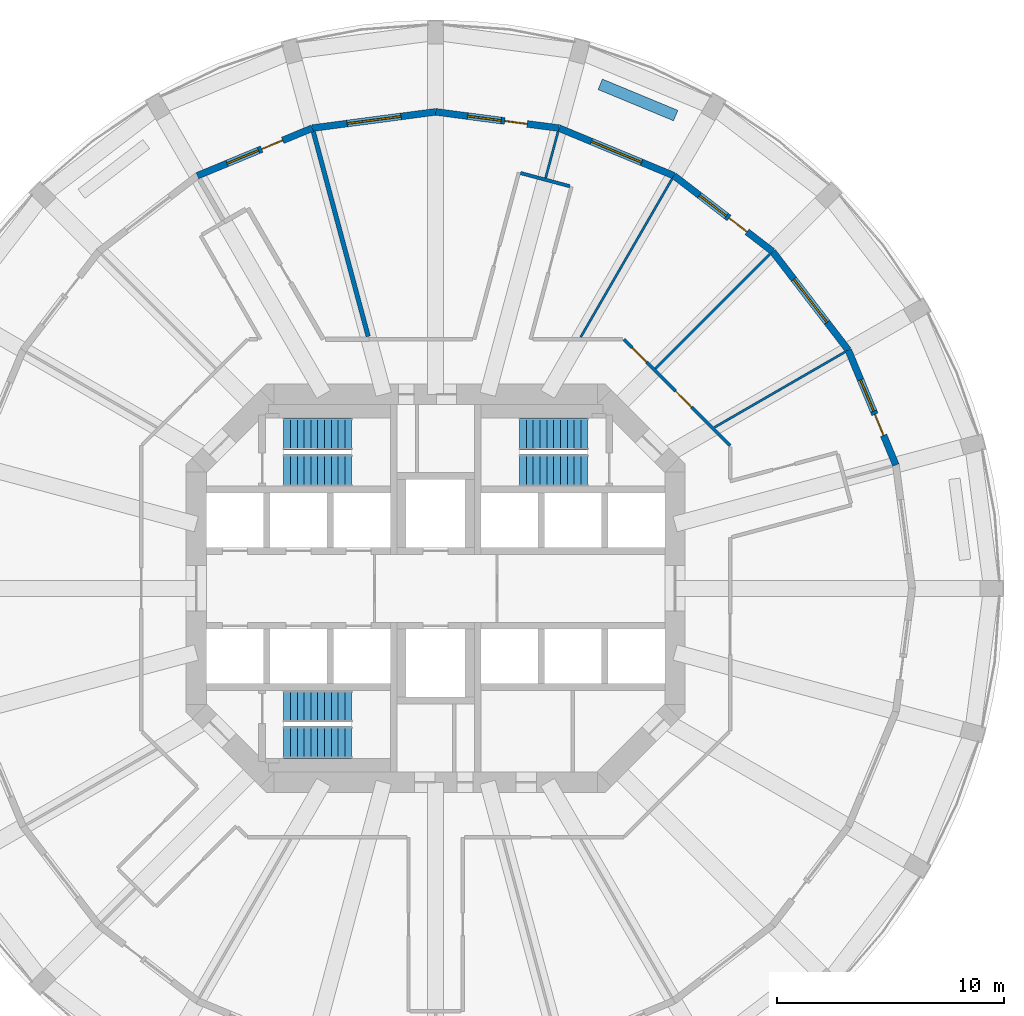
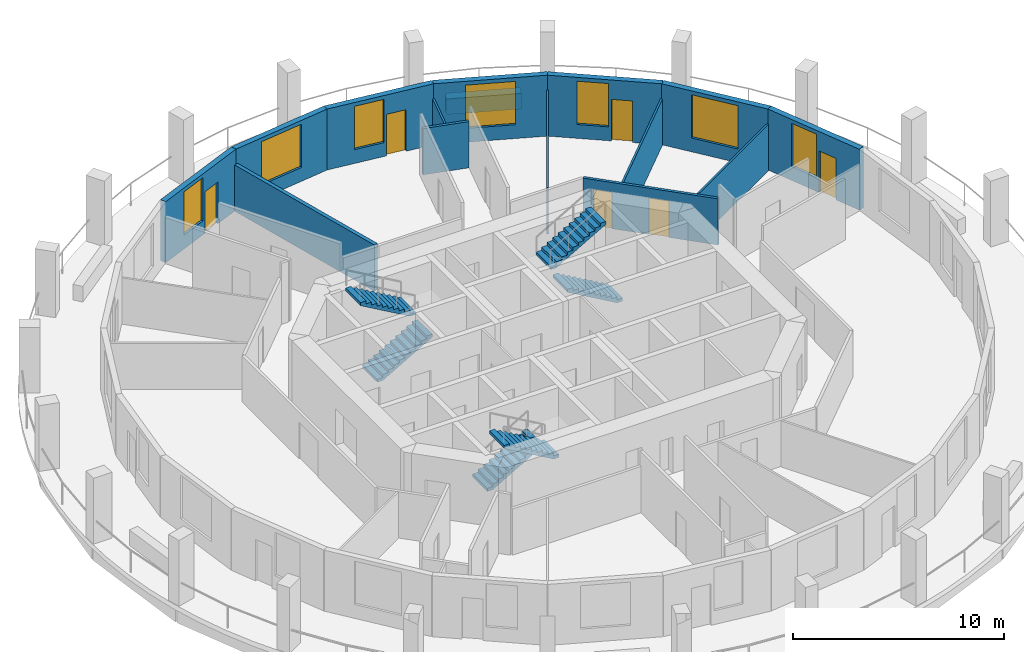
# One storey, part 6 of 8: 15 walls, 7 windows, 6 doors, 6 stair flights, 13 openings, 3 elements without a shape of their own.
"""IFC4 building model written with IfcOpenShell, lengths in metres."""

from ifc_helpers import new_model, si_unit, direction, frame, frame_2d, origin, place, context, subcontext, project, spatial, polyline, rectangle, outline, extrude, material, layer, layer_set, type_object, element, fill, aggregate, save


model = new_model("IFC4")

# Units and contexts
model_context = context("Model", 3, precision=1e-05, world=origin(), true_north=direction((0.0, 1.0)))
body_context = subcontext(model_context, "Body", "Model", "MODEL_VIEW")
ifc_project = project(units=[si_unit("LENGTHUNIT", "METRE"), si_unit("AREAUNIT", "SQUARE_METRE"), si_unit("VOLUMEUNIT", "CUBIC_METRE"), si_unit("PLANEANGLEUNIT", "RADIAN"), si_unit("MASSUNIT", "GRAM", prefix="KILO")], contexts=[model_context])

# Site, building, storey
site_placement = place(None, origin())
site = spatial("IfcSite", under=ifc_project, at=site_placement, CompositionType="ELEMENT")
building_placement = place(site_placement, origin())
building = spatial("IfcBuilding", under=site, at=building_placement, Name="Torre Triforio", CompositionType="ELEMENT")
storey_placement = place(building_placement, frame((0.0, 0.0, 135.199951171875)))
storey = spatial("IfcBuildingStorey", under=building, at=storey_placement, Name="L30", CompositionType="ELEMENT", Elevation=135.199951171875)

# Wall
ifc_material_1 = material(Name="Plasterboard on metal studs")
ifc_layer_1 = layer(ifc_material_1, 0.14990234375)
ifc_layer_set_1 = layer_set([ifc_layer_1], Name="Plasterboard on metal studs")
wall_type_1 = type_object("IfcWallType", Name="Corridor and tenancy wall 150 mm EI 60", PredefinedType="PARTITIONING", material=ifc_layer_set_1)
wall_1_placement = place(storey_placement, frame((3.739990234375, 18.304443359375, 0.0), z_axis=(0.0, 0.0, 1.0), x_axis=(0.965933522054, -0.25879032241, 0.0)))
element("IfcWall", 1, at=wall_1_placement, inside=storey, type_object=wall_type_1, Name="Partition 14", PredefinedType="PARTITIONING", context=body_context, shape_type="SweptSolid", body=[
    extrude(rectangle(XDim=2.25, YDim=0.14990234375, at=frame_2d((1.125, 0.0))), origin(), (0.0, 0.0, 1.0), 2.670166015625),
])

# Wall, openings, doors
wall_2_placement = place(storey_placement, frame((8.291015625, 10.97509765625, 0.0), z_axis=(0.0, 0.0, 1.0), x_axis=(0.707106781187, -0.707106781187, 0.0)))
wall_2 = element("IfcWall", 2, at=wall_2_placement, inside=storey, type_object=wall_type_1, Name="Partition 17", PredefinedType="PARTITIONING", context=body_context, shape_type="SweptSolid", body=[
    extrude(rectangle(XDim=6.624267578125, YDim=0.14990234375, at=frame_2d((3.31201171875, 0.0))), origin(), (0.0, 0.0, 1.0), 2.670166015625),
])
opening_1_placement = place(wall_2_placement, frame((3.22412109375, 0.0, 0.0)))
opening_1 = element("IfcOpeningElement", 3, at=opening_1_placement, cuts=wall_2, Name="Opening D2-09", PredefinedType="OPENING", context=body_context, shape_type="SweptSolid", body=[
    extrude(rectangle(XDim=1.0, YDim=2.10009765625, at=frame_2d((0.5, 1.050048828125))), frame((0.0, 0.0849609375, 0.0), z_axis=(0.0, -1.0, 0.0), x_axis=(1.0, 0.0, 0.0)), (0.0, 0.0, 1.0), 0.169921875),
])
opening_2_placement = place(wall_2_placement, frame((0.52392578125, 0.0, 0.0)))
opening_2 = element("IfcOpeningElement", 4, at=opening_2_placement, cuts=wall_2, Name="Opening D2-10", PredefinedType="OPENING", context=body_context, shape_type="SweptSolid", body=[
    extrude(rectangle(XDim=0.89990234375, YDim=2.10009765625, at=frame_2d((0.449951171875, 1.050048828125))), frame((0.0, 0.0849609375, 0.0), z_axis=(0.0, -1.0, 0.0), x_axis=(1.0, 0.0, 0.0)), (0.0, 0.0, 1.0), 0.169921875),
])
ifc_material_2 = material(Name="Timber", Category="wood")
door_type_1 = type_object("IfcDoorType", Name="Door 1000 x 2100 single leaf EI 30", OperationType="NOTDEFINED", PredefinedType="DOOR", material=ifc_material_2)
door_1_placement = place(opening_1_placement, origin())
door_1 = element("IfcDoor", 5, at=door_1_placement, inside=storey, type_object=door_type_1, Name="Door D2-09", OperationType="SINGLE_SWING_LEFT", OverallHeight=2.10009765625, OverallWidth=1.0, PredefinedType="DOOR", context=body_context, shape_type="SweptSolid", body=[
    extrude(rectangle(XDim=1.0, YDim=2.10009765625, at=frame_2d((0.5, 1.050048828125))), frame((0.0, 0.02490234375, 0.0), z_axis=(0.0, -1.0, 0.0), x_axis=(1.0, 0.0, 0.0)), (0.0, 0.0, 1.0), 0.050048828125),
])
fill(opening_1, door_1)
door_type_2 = type_object("IfcDoorType", Name="Door 900 x 2100 single leaf EI 30", OperationType="NOTDEFINED", PredefinedType="DOOR", material=ifc_material_2)
door_2_placement = place(opening_2_placement, origin())
door_2 = element("IfcDoor", 6, at=door_2_placement, inside=storey, type_object=door_type_2, Name="Door D2-10", OperationType="SINGLE_SWING_LEFT", OverallHeight=2.10009765625, OverallWidth=0.89990234375, PredefinedType="DOOR", context=body_context, shape_type="SweptSolid", body=[
    extrude(rectangle(XDim=0.89990234375, YDim=2.10009765625, at=frame_2d((0.449951171875, 1.050048828125))), frame((0.0, 0.02490234375, 0.0), z_axis=(0.0, -1.0, 0.0), x_axis=(1.0, 0.0, 0.0)), (0.0, 0.0, 1.0), 0.050048828125),
])
fill(opening_2, door_2)

# Walls
ifc_layer_2 = layer(ifc_material_1, 0.10009765625)
ifc_layer_set_2 = layer_set([ifc_layer_2], Name="Plasterboard on metal studs")
wall_type_2 = type_object("IfcWallType", Name="Partition 100 mm board on metal studs", PredefinedType="PARTITIONING", material=ifc_layer_set_2)
wall_3_placement = place(storey_placement, frame((12.294189453125, 7.097900390625, 0.0), z_axis=(0.0, 0.0, 1.0), x_axis=(0.866010486135, 0.500025837236, 0.0)))
element("IfcWall", 7, at=wall_3_placement, inside=storey, type_object=wall_type_2, Name="Partition 32", PredefinedType="PARTITIONING", context=body_context, shape_type="SweptSolid", body=[
    extrude(rectangle(XDim=6.640869140625, YDim=0.10009765625, at=frame_2d((3.3203125, 0.0))), origin(), (0.0, 0.0, 1.0), 2.670166015625),
])
wall_4_placement = place(storey_placement, frame((9.68603515625, 9.68603515625, 0.0), z_axis=(0.0, 0.0, 1.0), x_axis=(0.707106781187, 0.707106781187, 0.0)))
element("IfcWall", 8, at=wall_4_placement, inside=storey, type_object=wall_type_2, Name="Partition 33", PredefinedType="PARTITIONING", context=body_context, shape_type="SweptSolid", body=[
    extrude(rectangle(XDim=7.138671875, YDim=0.10009765625, at=frame_2d((3.5693359375, 0.0))), origin(), (0.0, 0.0, 1.0), 2.670166015625),
])
wall_5_placement = place(storey_placement, frame((6.393798828125, 11.07470703125, 0.0), z_axis=(0.0, 0.0, 1.0), x_axis=(0.500024397361, 0.866011317503, 0.0)))
element("IfcWall", 9, at=wall_5_placement, inside=storey, type_object=wall_type_2, Name="Partition 34", PredefinedType="PARTITIONING", context=body_context, shape_type="SweptSolid", body=[
    extrude(rectangle(XDim=8.048828125, YDim=0.10009765625, at=frame_2d((4.0244140625, 0.0))), origin(), (0.0, 0.0, 1.0), 2.670166015625),
])
wall_6_placement = place(storey_placement, frame((4.84619140625, 18.085693359375, 0.0), z_axis=(0.0, 0.0, 1.0), x_axis=(0.258705282257, 0.965956301772, 0.0)))
element("IfcWall", 10, at=wall_6_placement, inside=storey, type_object=wall_type_2, Name="Partition 35", PredefinedType="PARTITIONING", context=body_context, shape_type="SweptSolid", body=[
    extrude(rectangle(XDim=2.113037109375, YDim=0.10009765625, at=frame_2d((1.056640625, 0.0))), origin(), (0.0, 0.0, 1.0), 2.670166015625),
])
ifc_material_3 = material(Name="Masonry block", Category="masonry")
ifc_layer_3 = layer(ifc_material_3, 0.199951171875)
ifc_layer_set_3 = layer_set([ifc_layer_3], Name="Masonry block")
wall_type_3 = type_object("IfcWallType", Name="Plant room wall 200 mm block EI 120", PredefinedType="PARTITIONING", material=ifc_layer_set_3)
wall_7_placement = place(storey_placement, frame((-2.974365234375, 11.1005859375, 0.0), z_axis=(0.0, 0.0, 1.0), x_axis=(-0.258810523233, 0.965928109677, 0.0)))
element("IfcWall", 11, at=wall_7_placement, inside=storey, type_object=wall_type_3, Name="Partition 36", PredefinedType="PARTITIONING", context=body_context, shape_type="SweptSolid", body=[
    extrude(rectangle(XDim=9.344482421875, YDim=0.199951171875, at=frame_2d((4.67236328125, 0.0))), origin(), (0.0, 0.0, 1.0), 2.670166015625),
])
ifc_material_4 = material(Name="Limestone cladding", Category="masonry")
ifc_layer_4 = layer(ifc_material_4, 0.10009765625)
ifc_material_5 = material(Name="Concrete C40", Category="concrete")
ifc_layer_5 = layer(ifc_material_5, 0.39990234375)
ifc_layer_set_4 = layer_set([ifc_layer_4, ifc_layer_5], Name="Limestone cladding / Concrete C40")
wall_type_4 = type_object("IfcWallType", Name="Planter wall 500", PredefinedType="PARAPET", material=ifc_layer_set_4)
wall_8_placement = place(storey_placement, frame((10.57958984375, 20.837646484375, 0.0), z_axis=(0.0, 0.0, 1.0), x_axis=(-0.923909393783, 0.382611332921, 0.0)))
element("IfcWall", 12, at=wall_8_placement, inside=storey, type_object=wall_type_4, Name="Planter L30 bay 05", PredefinedType="PARAPET", context=body_context, shape_type="SweptSolid", body=[
    extrude(rectangle(XDim=3.60009765625, YDim=0.5, at=frame_2d((1.800048828125, 0.0))), origin(), (0.0, 0.0, 1.0), 0.900146484375),
])

# Wall, openings, door, window
ifc_layer_6 = layer(ifc_material_4, 0.10009765625)
ifc_layer_7 = layer(ifc_material_5, 0.199951171875)
ifc_layer_set_5 = layer_set([ifc_layer_6, ifc_layer_7], Name="Limestone cladding / Concrete C40")
wall_type_5 = type_object("IfcWallType", Name="Stone-faced composite wall 300", PredefinedType="STANDARD", material=ifc_layer_set_5)
wall_9_placement = place(storey_placement, frame((20.284423828125, 5.435302734375, 0.0), z_axis=(0.0, 0.0, 1.0), x_axis=(-0.382688740813, 0.923877333662, 0.0)))
wall_9 = element("IfcWall", 13, at=wall_9_placement, inside=storey, type_object=wall_type_5, Name="External wall L30 bay 02", PredefinedType="STANDARD", context=body_context, shape_type="SweptSolid", body=[
    extrude(rectangle(XDim=5.48193359375, YDim=0.300048828125, at=frame_2d((2.740966796875, 0.0))), origin(), (0.0, 0.0, 1.0), 3.52001953125),
])
opening_3_placement = place(wall_9_placement, frame((1.416015625, 0.0, 0.0)))
opening_3 = element("IfcOpeningElement", 14, at=opening_3_placement, cuts=wall_9, Name="Opening D2-D02", PredefinedType="OPENING", context=body_context, shape_type="SweptSolid", body=[
    extrude(rectangle(XDim=1.0, YDim=2.39990234375, at=frame_2d((0.5, 1.199951171875))), frame((0.0, 0.159912109375, 0.0), z_axis=(0.0, -1.0, 0.0), x_axis=(1.0, 0.0, 0.0)), (0.0, 0.0, 1.0), 0.320068359375),
])
opening_4_placement = place(wall_9_placement, frame((2.566162109375, 0.0, 0.800048828125)))
opening_4 = element("IfcOpeningElement", 15, at=opening_4_placement, cuts=wall_9, Name="Opening D2-W02A", PredefinedType="OPENING", context=body_context, shape_type="SweptSolid", body=[
    extrude(rectangle(XDim=1.5, YDim=2.5, at=frame_2d((0.75, 1.25))), frame((0.0, 0.159912109375, 0.0), z_axis=(0.0, -1.0, 0.0), x_axis=(1.0, 0.0, 0.0)), (0.0, 0.0, 1.0), 0.320068359375),
])
ifc_material_6 = material(Name="Aluminium frame with clear double glazing", Category="aluminium")
door_type_3 = type_object("IfcDoorType", Name="Loggia door 1000 x 2400", OperationType="NOTDEFINED", PredefinedType="DOOR", material=ifc_material_6)
door_3_placement = place(opening_3_placement, origin())
door_3 = element("IfcDoor", 16, at=door_3_placement, inside=storey, type_object=door_type_3, Name="Loggia door L30 bay 02", OperationType="SINGLE_SWING_LEFT", OverallHeight=2.39990234375, OverallWidth=1.0, PredefinedType="DOOR", context=body_context, shape_type="SweptSolid", body=[
    extrude(rectangle(XDim=1.0, YDim=2.39990234375, at=frame_2d((0.5, 1.199951171875))), frame((0.0, 0.02490234375, 0.0), z_axis=(0.0, -1.0, 0.0), x_axis=(1.0, 0.0, 0.0)), (0.0, 0.0, 1.0), 0.050048828125),
])
fill(opening_3, door_3)
window_type_1 = type_object("IfcWindowType", Name="Side window 1500 x 2500", PartitioningType="SINGLE_PANEL", PredefinedType="WINDOW", material=ifc_material_6)
window_1_placement = place(opening_4_placement, origin())
window_1 = element("IfcWindow", 17, at=window_1_placement, inside=storey, type_object=window_type_1, Name="Side window EWN13 L30 bay 02", OverallHeight=2.5, OverallWidth=1.5, PartitioningType="SINGLE_PANEL", PredefinedType="WINDOW", context=body_context, shape_type="SweptSolid", body=[
    extrude(rectangle(XDim=1.5, YDim=2.5, at=frame_2d((0.75, 1.25))), frame((0.0, 0.030029296875, 0.0), z_axis=(0.0, -1.0, 0.0), x_axis=(1.0, 0.0, 0.0)), (0.0, 0.0, 1.0), 0.06005859375),
])
fill(opening_4, window_1)

# Wall, opening, window
wall_10_placement = place(storey_placement, frame((18.1865234375, 10.5, 0.0), z_axis=(0.0, 0.0, 1.0), x_axis=(-0.608784891166, 0.793335336593, 0.0)))
wall_10 = element("IfcWall", 18, at=wall_10_placement, inside=storey, type_object=wall_type_5, Name="External wall L30 bay 03", PredefinedType="STANDARD", context=body_context, shape_type="SweptSolid", body=[
    extrude(rectangle(XDim=5.482177734375, YDim=0.300048828125, at=frame_2d((2.7412109375, 0.0))), origin(), (0.0, 0.0, 1.0), 3.52001953125),
])
opening_5_placement = place(wall_10_placement, frame((1.541015625, 0.0, 0.800048828125)))
opening_5 = element("IfcOpeningElement", 19, at=opening_5_placement, cuts=wall_10, Name="Opening D2-W03", PredefinedType="OPENING", context=body_context, shape_type="SweptSolid", body=[
    extrude(rectangle(XDim=2.39990234375, YDim=2.5, at=frame_2d((1.199951171875, 1.25))), frame((0.0, 0.159912109375, 0.0), z_axis=(0.0, -1.0, 0.0), x_axis=(1.0, 0.0, 0.0)), (0.0, 0.0, 1.0), 0.320068359375),
])
window_type_2 = type_object("IfcWindowType", Name="Punched window 2400 x 2500", PartitioningType="DOUBLE_PANEL_VERTICAL", PredefinedType="WINDOW", material=ifc_material_6)
window_2_placement = place(opening_5_placement, origin())
window_2 = element("IfcWindow", 20, at=window_2_placement, inside=storey, type_object=window_type_2, Name="Window EWN3 L30 bay 03", OverallHeight=2.5, OverallWidth=2.39990234375, PartitioningType="SINGLE_PANEL", PredefinedType="WINDOW", context=body_context, shape_type="SweptSolid", body=[
    extrude(rectangle(XDim=2.39990234375, YDim=2.5, at=frame_2d((1.199951171875, 1.25))), frame((0.0, 0.030029296875, 0.0), z_axis=(0.0, -1.0, 0.0), x_axis=(1.0, 0.0, 0.0)), (0.0, 0.0, 1.0), 0.06005859375),
])
fill(opening_5, window_2)

# Wall, openings, door, window
wall_11_placement = place(storey_placement, frame((14.84912109375, 14.84912109375, 0.0), z_axis=(0.0, 0.0, 1.0), x_axis=(-0.793335336593, 0.608784891166, 0.0)))
wall_11 = element("IfcWall", 21, at=wall_11_placement, inside=storey, type_object=wall_type_5, Name="External wall L30 bay 04", PredefinedType="STANDARD", context=body_context, shape_type="SweptSolid", body=[
    extrude(rectangle(XDim=5.482177734375, YDim=0.300048828125, at=frame_2d((2.7412109375, 0.0))), origin(), (0.0, 0.0, 1.0), 3.52001953125),
])
opening_6_placement = place(wall_11_placement, frame((1.416015625, 0.0, 0.0)))
opening_6 = element("IfcOpeningElement", 22, at=opening_6_placement, cuts=wall_11, Name="Opening D2-D04", PredefinedType="OPENING", context=body_context, shape_type="SweptSolid", body=[
    extrude(rectangle(XDim=1.0, YDim=2.39990234375, at=frame_2d((0.5, 1.199951171875))), frame((0.0, 0.159912109375, 0.0), z_axis=(0.0, -1.0, 0.0), x_axis=(1.0, 0.0, 0.0)), (0.0, 0.0, 1.0), 0.320068359375),
])
opening_7_placement = place(wall_11_placement, frame((2.56591796875, 0.0, 0.800048828125)))
opening_7 = element("IfcOpeningElement", 23, at=opening_7_placement, cuts=wall_11, Name="Opening D2-W04A", PredefinedType="OPENING", context=body_context, shape_type="SweptSolid", body=[
    extrude(rectangle(XDim=1.5, YDim=2.5, at=frame_2d((0.75, 1.25))), frame((0.0, 0.159912109375, 0.0), z_axis=(0.0, -1.0, 0.0), x_axis=(1.0, 0.0, 0.0)), (0.0, 0.0, 1.0), 0.320068359375),
])
door_4_placement = place(opening_6_placement, origin())
door_4 = element("IfcDoor", 24, at=door_4_placement, inside=storey, type_object=door_type_3, Name="Loggia door L30 bay 04", OperationType="SINGLE_SWING_LEFT", OverallHeight=2.39990234375, OverallWidth=1.0, PredefinedType="DOOR", context=body_context, shape_type="SweptSolid", body=[
    extrude(rectangle(XDim=1.0, YDim=2.39990234375, at=frame_2d((0.5, 1.199951171875))), frame((0.0, 0.02490234375, 0.0), z_axis=(0.0, -1.0, 0.0), x_axis=(1.0, 0.0, 0.0)), (0.0, 0.0, 1.0), 0.050048828125),
])
fill(opening_6, door_4)
window_3_placement = place(opening_7_placement, origin())
window_3 = element("IfcWindow", 25, at=window_3_placement, inside=storey, type_object=window_type_1, Name="Side window EWN13 L30 bay 04", OverallHeight=2.5, OverallWidth=1.5, PartitioningType="SINGLE_PANEL", PredefinedType="WINDOW", context=body_context, shape_type="SweptSolid", body=[
    extrude(rectangle(XDim=1.5, YDim=2.5, at=frame_2d((0.75, 1.25))), frame((0.0, 0.030029296875, 0.0), z_axis=(0.0, -1.0, 0.0), x_axis=(1.0, 0.0, 0.0)), (0.0, 0.0, 1.0), 0.06005859375),
])
fill(opening_7, window_3)

# Wall, opening, window
wall_12_placement = place(storey_placement, frame((10.5, 18.1865234375, 0.0), z_axis=(0.0, 0.0, 1.0), x_axis=(-0.923877333662, 0.382688740813, 0.0)))
wall_12 = element("IfcWall", 26, at=wall_12_placement, inside=storey, type_object=wall_type_5, Name="External wall L30 bay 05", PredefinedType="STANDARD", context=body_context, shape_type="SweptSolid", body=[
    extrude(rectangle(XDim=5.48193359375, YDim=0.300048828125, at=frame_2d((2.740966796875, 0.0))), origin(), (0.0, 0.0, 1.0), 3.52001953125),
])
opening_8_placement = place(wall_12_placement, frame((1.541015625, 0.0, 0.800048828125)))
opening_8 = element("IfcOpeningElement", 27, at=opening_8_placement, cuts=wall_12, Name="Opening D2-W05", PredefinedType="OPENING", context=body_context, shape_type="SweptSolid", body=[
    extrude(rectangle(XDim=2.39990234375, YDim=2.5, at=frame_2d((1.199951171875, 1.25))), frame((0.0, 0.159912109375, 0.0), z_axis=(0.0, -1.0, 0.0), x_axis=(1.0, 0.0, 0.0)), (0.0, 0.0, 1.0), 0.320068359375),
])
window_4_placement = place(opening_8_placement, origin())
window_4 = element("IfcWindow", 28, at=window_4_placement, inside=storey, type_object=window_type_2, Name="Window EWN3 L30 bay 05", OverallHeight=2.5, OverallWidth=2.39990234375, PartitioningType="SINGLE_PANEL", PredefinedType="WINDOW", context=body_context, shape_type="SweptSolid", body=[
    extrude(rectangle(XDim=2.39990234375, YDim=2.5, at=frame_2d((1.199951171875, 1.25))), frame((0.0, 0.030029296875, 0.0), z_axis=(0.0, -1.0, 0.0), x_axis=(1.0, 0.0, 0.0)), (0.0, 0.0, 1.0), 0.06005859375),
])
fill(opening_8, window_4)

# Wall, openings, door, window
wall_13_placement = place(storey_placement, frame((5.435302734375, 20.284423828125, 0.0), z_axis=(0.0, 0.0, 1.0), x_axis=(-0.991444743541, 0.130527087244, 0.0)))
wall_13 = element("IfcWall", 29, at=wall_13_placement, inside=storey, type_object=wall_type_5, Name="External wall L30 bay 06", PredefinedType="STANDARD", context=body_context, shape_type="SweptSolid", body=[
    extrude(rectangle(XDim=5.482177734375, YDim=0.300048828125, at=frame_2d((2.7412109375, 0.0))), origin(), (0.0, 0.0, 1.0), 3.52001953125),
])
opening_9_placement = place(wall_13_placement, frame((1.416015625, 0.0, 0.0)))
opening_9 = element("IfcOpeningElement", 30, at=opening_9_placement, cuts=wall_13, Name="Opening D2-D06", PredefinedType="OPENING", context=body_context, shape_type="SweptSolid", body=[
    extrude(rectangle(XDim=1.0, YDim=2.39990234375, at=frame_2d((0.5, 1.199951171875))), frame((0.0, 0.159912109375, 0.0), z_axis=(0.0, -1.0, 0.0), x_axis=(1.0, 0.0, 0.0)), (0.0, 0.0, 1.0), 0.320068359375),
])
opening_10_placement = place(wall_13_placement, frame((2.566162109375, 0.0, 0.800048828125)))
opening_10 = element("IfcOpeningElement", 31, at=opening_10_placement, cuts=wall_13, Name="Opening D2-W06A", PredefinedType="OPENING", context=body_context, shape_type="SweptSolid", body=[
    extrude(rectangle(XDim=1.5, YDim=2.5, at=frame_2d((0.75, 1.25))), frame((0.0, 0.159912109375, 0.0), z_axis=(0.0, -1.0, 0.0), x_axis=(1.0, 0.0, 0.0)), (0.0, 0.0, 1.0), 0.320068359375),
])
door_5_placement = place(opening_9_placement, origin())
door_5 = element("IfcDoor", 32, at=door_5_placement, inside=storey, type_object=door_type_3, Name="Loggia door L30 bay 06", OperationType="SINGLE_SWING_LEFT", OverallHeight=2.39990234375, OverallWidth=1.0, PredefinedType="DOOR", context=body_context, shape_type="SweptSolid", body=[
    extrude(rectangle(XDim=1.0, YDim=2.39990234375, at=frame_2d((0.5, 1.199951171875))), frame((0.0, 0.02490234375, 0.0), z_axis=(0.0, -1.0, 0.0), x_axis=(1.0, 0.0, 0.0)), (0.0, 0.0, 1.0), 0.050048828125),
])
fill(opening_9, door_5)
window_5_placement = place(opening_10_placement, origin())
window_5 = element("IfcWindow", 33, at=window_5_placement, inside=storey, type_object=window_type_1, Name="Side window EWN13 L30 bay 06", OverallHeight=2.5, OverallWidth=1.5, PartitioningType="SINGLE_PANEL", PredefinedType="WINDOW", context=body_context, shape_type="SweptSolid", body=[
    extrude(rectangle(XDim=1.5, YDim=2.5, at=frame_2d((0.75, 1.25))), frame((0.0, 0.030029296875, 0.0), z_axis=(0.0, -1.0, 0.0), x_axis=(1.0, 0.0, 0.0)), (0.0, 0.0, 1.0), 0.06005859375),
])
fill(opening_10, window_5)

# Wall, opening, window
wall_14_placement = place(storey_placement, frame((0.0, 21.0, 0.0), z_axis=(0.0, 0.0, 1.0), x_axis=(-0.991444743541, -0.130527087244, 0.0)))
wall_14 = element("IfcWall", 34, at=wall_14_placement, inside=storey, type_object=wall_type_5, Name="External wall L30 bay 07", PredefinedType="STANDARD", context=body_context, shape_type="SweptSolid", body=[
    extrude(rectangle(XDim=5.482177734375, YDim=0.300048828125, at=frame_2d((2.7412109375, 0.0))), origin(), (0.0, 0.0, 1.0), 3.52001953125),
])
opening_11_placement = place(wall_14_placement, frame((1.541015625, 0.0, 0.800048828125)))
opening_11 = element("IfcOpeningElement", 35, at=opening_11_placement, cuts=wall_14, Name="Opening D2-W07", PredefinedType="OPENING", context=body_context, shape_type="SweptSolid", body=[
    extrude(rectangle(XDim=2.39990234375, YDim=2.5, at=frame_2d((1.199951171875, 1.25))), frame((0.0, 0.159912109375, 0.0), z_axis=(0.0, -1.0, 0.0), x_axis=(1.0, 0.0, 0.0)), (0.0, 0.0, 1.0), 0.320068359375),
])
window_6_placement = place(opening_11_placement, origin())
window_6 = element("IfcWindow", 36, at=window_6_placement, inside=storey, type_object=window_type_2, Name="Window EWN3 L30 bay 07", OverallHeight=2.5, OverallWidth=2.39990234375, PartitioningType="SINGLE_PANEL", PredefinedType="WINDOW", context=body_context, shape_type="SweptSolid", body=[
    extrude(rectangle(XDim=2.39990234375, YDim=2.5, at=frame_2d((1.199951171875, 1.25))), frame((0.0, 0.030029296875, 0.0), z_axis=(0.0, -1.0, 0.0), x_axis=(1.0, 0.0, 0.0)), (0.0, 0.0, 1.0), 0.06005859375),
])
fill(opening_11, window_6)

# Wall, openings, door, window
wall_15_placement = place(storey_placement, frame((-5.435302734375, 20.284423828125, 0.0), z_axis=(0.0, 0.0, 1.0), x_axis=(-0.923877333662, -0.382688740813, 0.0)))
wall_15 = element("IfcWall", 37, at=wall_15_placement, inside=storey, type_object=wall_type_5, Name="External wall L30 bay 08", PredefinedType="STANDARD", context=body_context, shape_type="SweptSolid", body=[
    extrude(rectangle(XDim=5.48193359375, YDim=0.300048828125, at=frame_2d((2.740966796875, 0.0))), origin(), (0.0, 0.0, 1.0), 3.52001953125),
])
opening_12_placement = place(wall_15_placement, frame((1.416015625, 0.0, 0.0)))
opening_12 = element("IfcOpeningElement", 38, at=opening_12_placement, cuts=wall_15, Name="Opening D2-D08", PredefinedType="OPENING", context=body_context, shape_type="SweptSolid", body=[
    extrude(rectangle(XDim=1.0, YDim=2.39990234375, at=frame_2d((0.5, 1.199951171875))), frame((0.0, 0.159912109375, 0.0), z_axis=(0.0, -1.0, 0.0), x_axis=(1.0, 0.0, 0.0)), (0.0, 0.0, 1.0), 0.320068359375),
])
opening_13_placement = place(wall_15_placement, frame((2.566162109375, 0.0, 0.800048828125)))
opening_13 = element("IfcOpeningElement", 39, at=opening_13_placement, cuts=wall_15, Name="Opening D2-W08A", PredefinedType="OPENING", context=body_context, shape_type="SweptSolid", body=[
    extrude(rectangle(XDim=1.5, YDim=2.5, at=frame_2d((0.75, 1.25))), frame((0.0, 0.159912109375, 0.0), z_axis=(0.0, -1.0, 0.0), x_axis=(1.0, 0.0, 0.0)), (0.0, 0.0, 1.0), 0.320068359375),
])
door_6_placement = place(opening_12_placement, origin())
door_6 = element("IfcDoor", 40, at=door_6_placement, inside=storey, type_object=door_type_3, Name="Loggia door L30 bay 08", OperationType="SINGLE_SWING_LEFT", OverallHeight=2.39990234375, OverallWidth=1.0, PredefinedType="DOOR", context=body_context, shape_type="SweptSolid", body=[
    extrude(rectangle(XDim=1.0, YDim=2.39990234375, at=frame_2d((0.5, 1.199951171875))), frame((0.0, 0.02490234375, 0.0), z_axis=(0.0, -1.0, 0.0), x_axis=(1.0, 0.0, 0.0)), (0.0, 0.0, 1.0), 0.050048828125),
])
fill(opening_12, door_6)
window_7_placement = place(opening_13_placement, origin())
window_7 = element("IfcWindow", 41, at=window_7_placement, inside=storey, type_object=window_type_1, Name="Side window EWN13 L30 bay 08", OverallHeight=2.5, OverallWidth=1.5, PartitioningType="SINGLE_PANEL", PredefinedType="WINDOW", context=body_context, shape_type="SweptSolid", body=[
    extrude(rectangle(XDim=1.5, YDim=2.5, at=frame_2d((0.75, 1.25))), frame((0.0, 0.030029296875, 0.0), z_axis=(0.0, -1.0, 0.0), x_axis=(1.0, 0.0, 0.0)), (0.0, 0.0, 1.0), 0.06005859375),
])
fill(opening_13, window_7)

# Stair, stair flights
stair_type = type_object("IfcStairType", Name="STAIR HALF-TURN", PredefinedType="HALF_TURN_STAIR", material=ifc_material_5)
stair_1_placement = place(storey_placement, origin())
stair_1 = element("IfcStair", 42, at=stair_1_placement, inside=storey, type_object=stair_type, Name="Exit stair 1", PredefinedType="HALF_TURN_STAIR")
stair_flight_type = type_object("IfcStairFlightType", Name="STAIR FLIGHT 1400", PredefinedType="STRAIGHT", material=ifc_material_5)
stair_flight_1_placement = place(storey_placement, frame((-6.699951171875, 5.199951171875, 0.0), z_axis=(0.0, 0.0, 1.0), x_axis=(1.0, 0.0, 0.0)))
stair_flight_1 = element("IfcStairFlight", 43, at=stair_flight_1_placement, type_object=stair_flight_type, Name="ST1 flight 1", NumberOfRisers=11, NumberOfTreads=10, PredefinedType="STRAIGHT", RiserHeight=0.172727273, TreadLength=0.3, context=body_context, shape_type="SweptSolid", body=[
    extrude(outline(polyline([(0.0, 0.0), (0.0, 0.172607421875), (0.300048828125, 0.172607421875), (0.300048828125, 0.345458984375), (0.60009765625, 0.345458984375), (0.60009765625, 0.51806640625), (0.89990234375, 0.51806640625), (0.89990234375, 0.69091796875), (1.199951171875, 0.69091796875), (1.199951171875, 0.863525390625), (1.5, 0.863525390625), (1.5, 1.036376953125), (1.800048828125, 1.036376953125), (1.800048828125, 1.208984375), (2.10009765625, 1.208984375), (2.10009765625, 1.3818359375), (2.39990234375, 1.3818359375), (2.39990234375, 1.554443359375), (2.699951171875, 1.554443359375), (2.699951171875, 1.727294921875), (3.0, 1.727294921875), (3.0, 1.89990234375), (3.0, 1.55419921875), (0.300537109375, 0.0), (0.0, 0.0)])), frame((0.0, 0.699951171875, 0.0), z_axis=(0.0, -1.0, 0.0), x_axis=(1.0, 0.0, 0.0)), (0.0, 0.0, 1.0), 1.39990234375),
])
stair_flight_2_placement = place(storey_placement, frame((-3.699951171875, 6.800048828125, 1.900146484375), z_axis=(0.0, 0.0, 1.0), x_axis=(-1.0, 0.0, 0.0)))
stair_flight_2 = element("IfcStairFlight", 44, at=stair_flight_2_placement, type_object=stair_flight_type, Name="ST1 flight 2", NumberOfRisers=11, NumberOfTreads=10, PredefinedType="STRAIGHT", RiserHeight=0.172727273, TreadLength=0.3, context=body_context, shape_type="SweptSolid", body=[
    extrude(outline(polyline([(0.0, 0.0), (0.0, 0.172607421875), (0.300048828125, 0.172607421875), (0.300048828125, 0.345458984375), (0.60009765625, 0.345458984375), (0.60009765625, 0.51806640625), (0.89990234375, 0.51806640625), (0.89990234375, 0.69091796875), (1.199951171875, 0.69091796875), (1.199951171875, 0.863525390625), (1.5, 0.863525390625), (1.5, 1.036376953125), (1.800048828125, 1.036376953125), (1.800048828125, 1.208984375), (2.10009765625, 1.208984375), (2.10009765625, 1.3818359375), (2.39990234375, 1.3818359375), (2.39990234375, 1.554443359375), (2.699951171875, 1.554443359375), (2.699951171875, 1.727294921875), (3.0, 1.727294921875), (3.0, 1.89990234375), (3.0, 1.55419921875), (0.300537109375, 0.0), (0.0, 0.0)])), frame((0.0, 0.699951171875, 0.0), z_axis=(0.0, -1.0, 0.0), x_axis=(1.0, 0.0, 0.0)), (0.0, 0.0, 1.0), 1.39990234375),
])
aggregate(stair_1, [stair_flight_1, stair_flight_2])

stair_2_placement = place(storey_placement, origin())
stair_2 = element("IfcStair", 45, at=stair_2_placement, inside=storey, type_object=stair_type, Name="Exit stair 2", PredefinedType="HALF_TURN_STAIR")
stair_flight_3_placement = place(storey_placement, frame((6.699951171875, 5.199951171875, 0.0), z_axis=(0.0, 0.0, 1.0), x_axis=(-1.0, 0.0, 0.0)))
stair_flight_3 = element("IfcStairFlight", 46, at=stair_flight_3_placement, type_object=stair_flight_type, Name="ST2 flight 1", NumberOfRisers=11, NumberOfTreads=10, PredefinedType="STRAIGHT", RiserHeight=0.172727273, TreadLength=0.3, context=body_context, shape_type="SweptSolid", body=[
    extrude(outline(polyline([(0.0, 0.0), (0.0, 0.172607421875), (0.300048828125, 0.172607421875), (0.300048828125, 0.345458984375), (0.60009765625, 0.345458984375), (0.60009765625, 0.51806640625), (0.89990234375, 0.51806640625), (0.89990234375, 0.69091796875), (1.199951171875, 0.69091796875), (1.199951171875, 0.863525390625), (1.5, 0.863525390625), (1.5, 1.036376953125), (1.800048828125, 1.036376953125), (1.800048828125, 1.208984375), (2.10009765625, 1.208984375), (2.10009765625, 1.3818359375), (2.39990234375, 1.3818359375), (2.39990234375, 1.554443359375), (2.699951171875, 1.554443359375), (2.699951171875, 1.727294921875), (3.0, 1.727294921875), (3.0, 1.89990234375), (3.0, 1.55419921875), (0.300537109375, 0.0), (0.0, 0.0)])), frame((0.0, 0.699951171875, 0.0), z_axis=(0.0, -1.0, 0.0), x_axis=(1.0, 0.0, 0.0)), (0.0, 0.0, 1.0), 1.39990234375),
])
stair_flight_4_placement = place(storey_placement, frame((3.699951171875, 6.800048828125, 1.900146484375), z_axis=(0.0, 0.0, 1.0), x_axis=(1.0, 0.0, 0.0)))
stair_flight_4 = element("IfcStairFlight", 47, at=stair_flight_4_placement, type_object=stair_flight_type, Name="ST2 flight 2", NumberOfRisers=11, NumberOfTreads=10, PredefinedType="STRAIGHT", RiserHeight=0.172727273, TreadLength=0.3, context=body_context, shape_type="SweptSolid", body=[
    extrude(outline(polyline([(0.0, 0.0), (0.0, 0.172607421875), (0.300048828125, 0.172607421875), (0.300048828125, 0.345458984375), (0.60009765625, 0.345458984375), (0.60009765625, 0.51806640625), (0.89990234375, 0.51806640625), (0.89990234375, 0.69091796875), (1.199951171875, 0.69091796875), (1.199951171875, 0.863525390625), (1.5, 0.863525390625), (1.5, 1.036376953125), (1.800048828125, 1.036376953125), (1.800048828125, 1.208984375), (2.10009765625, 1.208984375), (2.10009765625, 1.3818359375), (2.39990234375, 1.3818359375), (2.39990234375, 1.554443359375), (2.699951171875, 1.554443359375), (2.699951171875, 1.727294921875), (3.0, 1.727294921875), (3.0, 1.89990234375), (3.0, 1.55419921875), (0.300537109375, 0.0), (0.0, 0.0)])), frame((0.0, 0.699951171875, 0.0), z_axis=(0.0, -1.0, 0.0), x_axis=(1.0, 0.0, 0.0)), (0.0, 0.0, 1.0), 1.39990234375),
])
aggregate(stair_2, [stair_flight_3, stair_flight_4])

stair_3_placement = place(storey_placement, origin())
stair_3 = element("IfcStair", 48, at=stair_3_placement, inside=storey, type_object=stair_type, Name="Exit stair 3", PredefinedType="HALF_TURN_STAIR")
stair_flight_5_placement = place(storey_placement, frame((-6.699951171875, -5.199951171875, 0.0), z_axis=(0.0, 0.0, 1.0), x_axis=(1.0, 0.0, 0.0)))
stair_flight_5 = element("IfcStairFlight", 49, at=stair_flight_5_placement, type_object=stair_flight_type, Name="ST3 flight 1", NumberOfRisers=11, NumberOfTreads=10, PredefinedType="STRAIGHT", RiserHeight=0.172727273, TreadLength=0.3, context=body_context, shape_type="SweptSolid", body=[
    extrude(outline(polyline([(0.0, 0.0), (0.0, 0.172607421875), (0.300048828125, 0.172607421875), (0.300048828125, 0.345458984375), (0.60009765625, 0.345458984375), (0.60009765625, 0.51806640625), (0.89990234375, 0.51806640625), (0.89990234375, 0.69091796875), (1.199951171875, 0.69091796875), (1.199951171875, 0.863525390625), (1.5, 0.863525390625), (1.5, 1.036376953125), (1.800048828125, 1.036376953125), (1.800048828125, 1.208984375), (2.10009765625, 1.208984375), (2.10009765625, 1.3818359375), (2.39990234375, 1.3818359375), (2.39990234375, 1.554443359375), (2.699951171875, 1.554443359375), (2.699951171875, 1.727294921875), (3.0, 1.727294921875), (3.0, 1.89990234375), (3.0, 1.55419921875), (0.300537109375, 0.0), (0.0, 0.0)])), frame((0.0, 0.699951171875, 0.0), z_axis=(0.0, -1.0, 0.0), x_axis=(1.0, 0.0, 0.0)), (0.0, 0.0, 1.0), 1.39990234375),
])
stair_flight_6_placement = place(storey_placement, frame((-3.699951171875, -6.800048828125, 1.900146484375), z_axis=(0.0, 0.0, 1.0), x_axis=(-1.0, 0.0, 0.0)))
stair_flight_6 = element("IfcStairFlight", 50, at=stair_flight_6_placement, type_object=stair_flight_type, Name="ST3 flight 2", NumberOfRisers=11, NumberOfTreads=10, PredefinedType="STRAIGHT", RiserHeight=0.172727273, TreadLength=0.3, context=body_context, shape_type="SweptSolid", body=[
    extrude(outline(polyline([(0.0, 0.0), (0.0, 0.172607421875), (0.300048828125, 0.172607421875), (0.300048828125, 0.345458984375), (0.60009765625, 0.345458984375), (0.60009765625, 0.51806640625), (0.89990234375, 0.51806640625), (0.89990234375, 0.69091796875), (1.199951171875, 0.69091796875), (1.199951171875, 0.863525390625), (1.5, 0.863525390625), (1.5, 1.036376953125), (1.800048828125, 1.036376953125), (1.800048828125, 1.208984375), (2.10009765625, 1.208984375), (2.10009765625, 1.3818359375), (2.39990234375, 1.3818359375), (2.39990234375, 1.554443359375), (2.699951171875, 1.554443359375), (2.699951171875, 1.727294921875), (3.0, 1.727294921875), (3.0, 1.89990234375), (3.0, 1.55419921875), (0.300537109375, 0.0), (0.0, 0.0)])), frame((0.0, 0.699951171875, 0.0), z_axis=(0.0, -1.0, 0.0), x_axis=(1.0, 0.0, 0.0)), (0.0, 0.0, 1.0), 1.39990234375),
])
aggregate(stair_3, [stair_flight_5, stair_flight_6])

save(model, "model.ifc")
